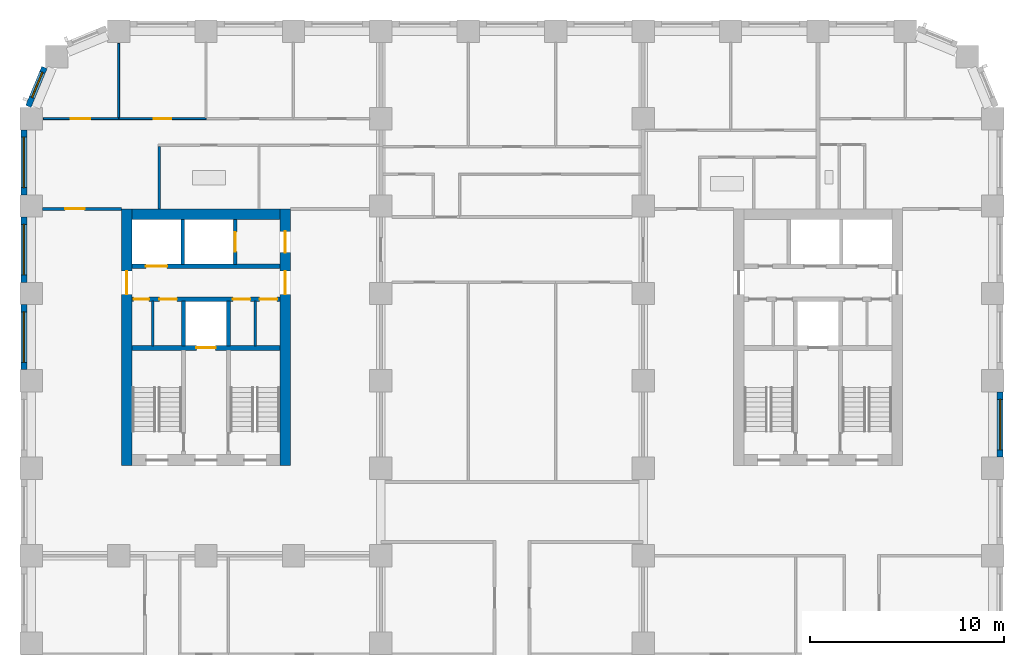
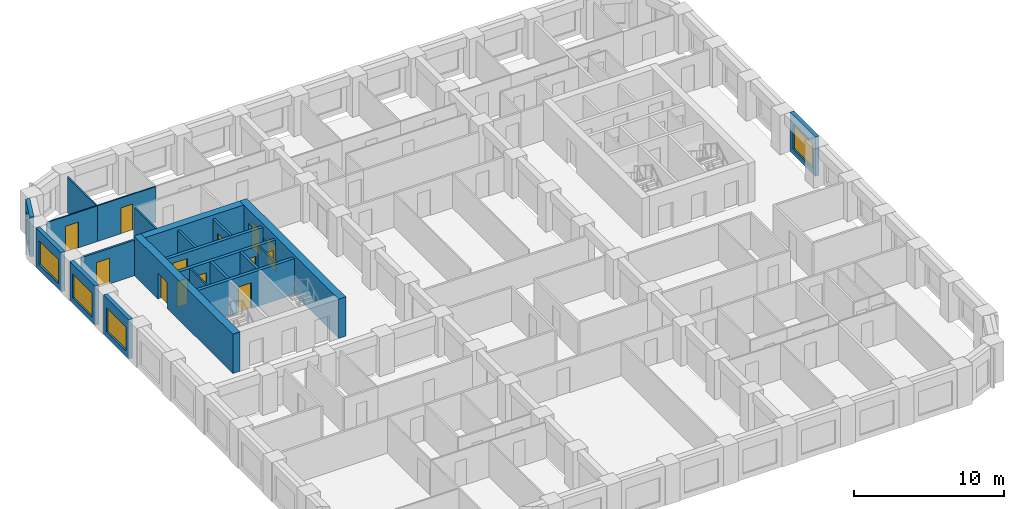
# One storey, part 6 of 13: 22 walls, 13 doors, 5 windows, 18 openings.
"""IFC4 building model written with IfcOpenShell, lengths in metres."""

from ifc_helpers import new_model, si_unit, direction, frame, frame_2d, origin, place, context, subcontext, project, spatial, rectangle, extrude, material, layer, layer_set, type_object, element, fill, save


model = new_model("IFC4")

# Units and contexts
model_context = context("Model", 3, precision=1e-05, world=origin(), true_north=direction((0.0, 1.0)))
body_context = subcontext(model_context, "Body", "Model", "MODEL_VIEW")
ifc_project = project(units=[si_unit("LENGTHUNIT", "METRE"), si_unit("AREAUNIT", "SQUARE_METRE"), si_unit("VOLUMEUNIT", "CUBIC_METRE"), si_unit("PLANEANGLEUNIT", "RADIAN"), si_unit("MASSUNIT", "GRAM", prefix="KILO")], contexts=[model_context])

# Site, building, storey
site_placement = place(None, origin())
site = spatial("IfcSite", under=ifc_project, at=site_placement, CompositionType="ELEMENT")
building_placement = place(site_placement, origin())
building = spatial("IfcBuilding", under=site, at=building_placement, Name="Girih Gate Residences", CompositionType="ELEMENT")
storey_placement = place(building_placement, frame((0.0, 0.0, 92.800048828125)))
storey = spatial("IfcBuildingStorey", under=building, at=storey_placement, Name="L25", CompositionType="ELEMENT", Elevation=92.800048828125)

# Wall, opening, door
ifc_material_1 = material(Name="Gypsum board on steel studs", Category="steel")
ifc_layer_1 = layer(ifc_material_1, 0.14990234375)
ifc_layer_set_1 = layer_set([ifc_layer_1], Name="Compartment wall 150 mm")
wall_type_1 = type_object("IfcWallType", Name="Compartment wall 150 mm", PredefinedType="PARTITIONING", material=ifc_layer_set_1)
wall_1_placement = place(storey_placement, frame((0.574951171875, 40.35009765625, 0.0), z_axis=(0.0, 0.0, 1.0), x_axis=(1.0, 0.0, 0.0)))
wall_1 = element("IfcWall", 1, at=wall_1_placement, inside=storey, type_object=wall_type_1, Name="L25 partition", PredefinedType="PARTITIONING", context=body_context, shape_type="SweptSolid", body=[
    extrude(rectangle(XDim=4.074951171875, YDim=0.14990234375, at=frame_2d((2.03759765625, 0.0))), origin(), (0.0, 0.0, 1.0), 2.89990234375),
])
opening_1_placement = place(wall_1_placement, frame((1.175048828125, 0.0, 0.0)))
opening_1 = element("IfcOpeningElement", 2, at=opening_1_placement, cuts=wall_1, Name="Opening A25-014", PredefinedType="OPENING", context=body_context, shape_type="SweptSolid", body=[
    extrude(rectangle(XDim=1.0, YDim=2.10009765625, at=frame_2d((0.5, 1.050048828125))), frame((0.0, 0.0849609375, 0.0), z_axis=(0.0, -1.0, 0.0), x_axis=(1.0, 0.0, 0.0)), (0.0, 0.0, 1.0), 0.169921875),
])
ifc_material_2 = material(Name="Timber, fire-rated core", Category="wood")
door_type_1 = type_object("IfcDoorType", Name="Flat entrance door 1000x2100 FD30S", OperationType="NOTDEFINED", PredefinedType="DOOR", material=ifc_material_2)
door_1_placement = place(opening_1_placement, origin())
door_1 = element("IfcDoor", 3, at=door_1_placement, inside=storey, type_object=door_type_1, Name="Door A25-014", OperationType="SINGLE_SWING_LEFT", OverallHeight=2.10009765625, OverallWidth=1.0, PredefinedType="DOOR", context=body_context, shape_type="SweptSolid", body=[
    extrude(rectangle(XDim=1.0, YDim=2.10009765625, at=frame_2d((0.5, 1.050048828125))), frame((0.0, 0.02490234375, 0.0), z_axis=(0.0, -1.0, 0.0), x_axis=(1.0, 0.0, 0.0)), (0.0, 0.0, 1.0), 0.050048828125),
])
fill(opening_1, door_1)

# Wall
ifc_material_3 = material(Name="Concrete C60/75", Category="concrete")
ifc_layer_2 = layer(ifc_material_3, 0.550048828125)
ifc_layer_set_2 = layer_set([ifc_layer_2], Name="Core wall RC 550 Concrete C60/75")
wall_type_2 = type_object("IfcWallType", Name="Core wall RC 550 Concrete C60/75", PredefinedType="SOLIDWALL", material=ifc_layer_set_2)
wall_2_placement = place(storey_placement, frame((5.199951171875, 40.074951171875, 0.0), z_axis=(0.0, 0.0, 1.0), x_axis=(1.0, 0.0, 0.0)))
element("IfcWall", 4, at=wall_2_placement, inside=storey, type_object=wall_type_2, Name="Core wall W-N L25", PredefinedType="SOLIDWALL", context=body_context, shape_type="SweptSolid", body=[
    extrude(rectangle(XDim=7.60009765625, YDim=0.550048828125, at=frame_2d((3.800048828125, 0.0))), origin(), (0.0, 0.0, 1.0), 3.199951171875),
])

# Wall, opening, door
wall_3_placement = place(storey_placement, frame((4.925048828125, 27.14990234375, 0.0), z_axis=(0.0, 0.0, 1.0), x_axis=(0.0, 1.0, 0.0)))
wall_3 = element("IfcWall", 5, at=wall_3_placement, inside=storey, type_object=wall_type_2, Name="Core wall W-W L25", PredefinedType="SOLIDWALL", context=body_context, shape_type="SweptSolid", body=[
    extrude(rectangle(XDim=13.2001953125, YDim=0.550048828125, at=frame_2d((6.60009765625, 0.0))), origin(), (0.0, 0.0, 1.0), 3.199951171875),
])
opening_2_placement = place(wall_3_placement, frame((8.800048828125, 0.0, 0.0)))
opening_2 = element("IfcOpeningElement", 6, at=opening_2_placement, cuts=wall_3, Name="Opening D-L25-W-014", PredefinedType="OPENING", context=body_context, shape_type="SweptSolid", body=[
    extrude(rectangle(XDim=1.199951171875, YDim=2.10009765625, at=frame_2d((0.60009765625, 1.050048828125))), frame((0.0, 0.284912109375, 0.0), z_axis=(0.0, -1.0, 0.0), x_axis=(1.0, 0.0, 0.0)), (0.0, 0.0, 1.0), 0.570068359375),
])
ifc_material_4 = material(Name="Painted steel, fire-resisting", Category="steel")
door_type_2 = type_object("IfcDoorType", Name="Fire door 1200x2100", OperationType="SINGLE_SWING_LEFT", PredefinedType="DOOR", material=ifc_material_4)
door_2_placement = place(opening_2_placement, origin())
door_2 = element("IfcDoor", 7, at=door_2_placement, inside=storey, type_object=door_type_2, Name="L25 W core door ll-w", OperationType="SINGLE_SWING_LEFT", OverallHeight=2.10009765625, OverallWidth=1.199951171875, PredefinedType="DOOR", context=body_context, shape_type="SweptSolid", body=[
    extrude(rectangle(XDim=1.199951171875, YDim=2.10009765625, at=frame_2d((0.60009765625, 1.050048828125))), frame((0.0, 0.02490234375, 0.0), z_axis=(0.0, -1.0, 0.0), x_axis=(1.0, 0.0, 0.0)), (0.0, 0.0, 1.0), 0.050048828125),
])
fill(opening_2, door_2)

# Wall, openings, doors
wall_4_placement = place(storey_placement, frame((13.074951171875, 27.14990234375, 0.0), z_axis=(0.0, 0.0, 1.0), x_axis=(0.0, 1.0, 0.0)))
wall_4 = element("IfcWall", 8, at=wall_4_placement, inside=storey, type_object=wall_type_2, Name="Core wall W-E L25", PredefinedType="SOLIDWALL", context=body_context, shape_type="SweptSolid", body=[
    extrude(rectangle(XDim=13.2001953125, YDim=0.550048828125, at=frame_2d((6.60009765625, 0.0))), origin(), (0.0, 0.0, 1.0), 3.199951171875),
])
opening_3_placement = place(wall_4_placement, frame((10.949951171875, 0.0, 0.0)))
opening_3 = element("IfcOpeningElement", 9, at=opening_3_placement, cuts=wall_4, Name="Opening D-L25-W-013", PredefinedType="OPENING", context=body_context, shape_type="SweptSolid", body=[
    extrude(rectangle(XDim=1.10009765625, YDim=2.10009765625, at=frame_2d((0.550048828125, 1.050048828125))), frame((0.0, 0.284912109375, 0.0), z_axis=(0.0, -1.0, 0.0), x_axis=(1.0, 0.0, 0.0)), (0.0, 0.0, 1.0), 0.570068359375),
])
opening_4_placement = place(wall_4_placement, frame((8.800048828125, 0.0, 0.0)))
opening_4 = element("IfcOpeningElement", 10, at=opening_4_placement, cuts=wall_4, Name="Opening D-L25-W-015", PredefinedType="OPENING", context=body_context, shape_type="SweptSolid", body=[
    extrude(rectangle(XDim=1.199951171875, YDim=2.10009765625, at=frame_2d((0.60009765625, 1.050048828125))), frame((0.0, 0.284912109375, 0.0), z_axis=(0.0, -1.0, 0.0), x_axis=(1.0, 0.0, 0.0)), (0.0, 0.0, 1.0), 0.570068359375),
])
door_type_3 = type_object("IfcDoorType", Name="Fire door 1100x2100", OperationType="SINGLE_SWING_LEFT", PredefinedType="DOOR", material=ifc_material_4)
door_3_placement = place(opening_3_placement, origin())
door_3 = element("IfcDoor", 11, at=door_3_placement, inside=storey, type_object=door_type_3, Name="L25 W core door ffl2-e", OperationType="SINGLE_SWING_LEFT", OverallHeight=2.10009765625, OverallWidth=1.10009765625, PredefinedType="DOOR", context=body_context, shape_type="SweptSolid", body=[
    extrude(rectangle(XDim=1.10009765625, YDim=2.10009765625, at=frame_2d((0.550048828125, 1.050048828125))), frame((0.0, 0.02490234375, 0.0), z_axis=(0.0, -1.0, 0.0), x_axis=(1.0, 0.0, 0.0)), (0.0, 0.0, 1.0), 0.050048828125),
])
fill(opening_3, door_3)
door_4_placement = place(opening_4_placement, origin())
door_4 = element("IfcDoor", 12, at=door_4_placement, inside=storey, type_object=door_type_2, Name="L25 W core door ll-e", OperationType="SINGLE_SWING_LEFT", OverallHeight=2.10009765625, OverallWidth=1.199951171875, PredefinedType="DOOR", context=body_context, shape_type="SweptSolid", body=[
    extrude(rectangle(XDim=1.199951171875, YDim=2.10009765625, at=frame_2d((0.60009765625, 1.050048828125))), frame((0.0, 0.02490234375, 0.0), z_axis=(0.0, -1.0, 0.0), x_axis=(1.0, 0.0, 0.0)), (0.0, 0.0, 1.0), 0.050048828125),
])
fill(opening_4, door_4)

# Wall, opening, door
ifc_material_5 = material(Name="Concrete C40/50", Category="concrete")
ifc_layer_3 = layer(ifc_material_5, 0.25)
ifc_layer_set_3 = layer_set([ifc_layer_3], Name="Lift shaft wall 250")
wall_type_3 = type_object("IfcWallType", Name="Lift shaft wall 250", PredefinedType="SOLIDWALL", material=ifc_layer_set_3)
wall_5_placement = place(storey_placement, frame((5.199951171875, 33.199951171875, 0.0), z_axis=(0.0, 0.0, 1.0), x_axis=(1.0, 0.0, 0.0)))
wall_5 = element("IfcWall", 13, at=wall_5_placement, inside=storey, type_object=wall_type_3, Name="L25 W core wall H1", PredefinedType="SOLIDWALL", context=body_context, shape_type="SweptSolid", body=[
    extrude(rectangle(XDim=7.60009765625, YDim=0.25, at=frame_2d((3.800048828125, 0.0))), origin(), (0.0, 0.0, 1.0), 2.89990234375),
])
opening_5_placement = place(wall_5_placement, frame((3.300048828125, 0.0, 0.0)))
opening_5 = element("IfcOpeningElement", 14, at=opening_5_placement, cuts=wall_5, Name="Opening D-L25-W-005", PredefinedType="OPENING", context=body_context, shape_type="SweptSolid", body=[
    extrude(rectangle(XDim=1.0, YDim=2.10009765625, at=frame_2d((0.5, 1.050048828125))), frame((0.0, 0.135009765625, 0.0), z_axis=(0.0, -1.0, 0.0), x_axis=(1.0, 0.0, 0.0)), (0.0, 0.0, 1.0), 0.27001953125),
])
ifc_material_6 = material(Name="Stainless steel, fire-resisting", Category="steel")
door_type_4 = type_object("IfcDoorType", Name="Firefighting lift landing door 1000x2100", OperationType="SLIDING_TO_LEFT", PredefinedType="DOOR", material=ifc_material_6)
door_5_placement = place(opening_5_placement, origin())
door_5 = element("IfcDoor", 15, at=door_5_placement, inside=storey, type_object=door_type_4, Name="L25 lift FF-W landing door", OperationType="SLIDING_TO_LEFT", OverallHeight=2.10009765625, OverallWidth=1.0, PredefinedType="DOOR", context=body_context, shape_type="SweptSolid", body=[
    extrude(rectangle(XDim=1.0, YDim=2.10009765625, at=frame_2d((0.5, 1.050048828125))), frame((0.0, 0.02490234375, 0.0), z_axis=(0.0, -1.0, 0.0), x_axis=(1.0, 0.0, 0.0)), (0.0, 0.0, 1.0), 0.050048828125),
])
fill(opening_5, door_5)

# Wall, openings, doors
wall_6_placement = place(storey_placement, frame((5.199951171875, 35.699951171875, 0.0), z_axis=(0.0, 0.0, 1.0), x_axis=(1.0, 0.0, 0.0)))
wall_6 = element("IfcWall", 16, at=wall_6_placement, inside=storey, type_object=wall_type_3, Name="L25 W core wall H2", PredefinedType="SOLIDWALL", context=body_context, shape_type="SweptSolid", body=[
    extrude(rectangle(XDim=7.60009765625, YDim=0.25, at=frame_2d((3.800048828125, 0.0))), origin(), (0.0, 0.0, 1.0), 2.89990234375),
])
opening_6_placement = place(wall_6_placement, frame((0.074951171875, 0.0, 0.0)))
opening_6 = element("IfcOpeningElement", 17, at=opening_6_placement, cuts=wall_6, Name="Opening D-L25-W-006", PredefinedType="OPENING", context=body_context, shape_type="SweptSolid", body=[
    extrude(rectangle(XDim=0.800048828125, YDim=2.10009765625, at=frame_2d((0.39990234375, 1.050048828125))), frame((0.0, 0.135009765625, 0.0), z_axis=(0.0, -1.0, 0.0), x_axis=(1.0, 0.0, 0.0)), (0.0, 0.0, 1.0), 0.27001953125),
])
opening_7_placement = place(wall_6_placement, frame((1.39990234375, 0.0, 0.0)))
opening_7 = element("IfcOpeningElement", 18, at=opening_7_placement, cuts=wall_6, Name="Opening D-L25-W-007", PredefinedType="OPENING", context=body_context, shape_type="SweptSolid", body=[
    extrude(rectangle(XDim=0.89990234375, YDim=2.10009765625, at=frame_2d((0.449951171875, 1.050048828125))), frame((0.0, 0.135009765625, 0.0), z_axis=(0.0, -1.0, 0.0), x_axis=(1.0, 0.0, 0.0)), (0.0, 0.0, 1.0), 0.27001953125),
])
opening_8_placement = place(wall_6_placement, frame((5.1875, 0.0, 0.0)))
opening_8 = element("IfcOpeningElement", 19, at=opening_8_placement, cuts=wall_6, Name="Opening D-L25-W-008", PredefinedType="OPENING", context=body_context, shape_type="SweptSolid", body=[
    extrude(rectangle(XDim=0.89990234375, YDim=2.10009765625, at=frame_2d((0.449951171875, 1.050048828125))), frame((0.0, 0.135009765625, 0.0), z_axis=(0.0, -1.0, 0.0), x_axis=(1.0, 0.0, 0.0)), (0.0, 0.0, 1.0), 0.27001953125),
])
opening_9_placement = place(wall_6_placement, frame((6.5625, 0.0, 0.0)))
opening_9 = element("IfcOpeningElement", 20, at=opening_9_placement, cuts=wall_6, Name="Opening D-L25-W-009", PredefinedType="OPENING", context=body_context, shape_type="SweptSolid", body=[
    extrude(rectangle(XDim=0.89990234375, YDim=2.10009765625, at=frame_2d((0.449951171875, 1.050048828125))), frame((0.0, 0.135009765625, 0.0), z_axis=(0.0, -1.0, 0.0), x_axis=(1.0, 0.0, 0.0)), (0.0, 0.0, 1.0), 0.27001953125),
])
door_type_5 = type_object("IfcDoorType", Name="Fire door 800x2100", OperationType="SINGLE_SWING_LEFT", PredefinedType="DOOR", material=ifc_material_4)
door_6_placement = place(opening_6_placement, origin())
door_6 = element("IfcDoor", 21, at=door_6_placement, inside=storey, type_object=door_type_5, Name="L25 W housekeeping store door", OperationType="SINGLE_SWING_LEFT", OverallHeight=2.10009765625, OverallWidth=0.800048828125, PredefinedType="DOOR", context=body_context, shape_type="SweptSolid", body=[
    extrude(rectangle(XDim=0.800048828125, YDim=2.10009765625, at=frame_2d((0.39990234375, 1.050048828125))), frame((0.0, 0.02490234375, 0.0), z_axis=(0.0, -1.0, 0.0), x_axis=(1.0, 0.0, 0.0)), (0.0, 0.0, 1.0), 0.050048828125),
])
fill(opening_6, door_6)
door_type_6 = type_object("IfcDoorType", Name="Fire door 900x2100", OperationType="SINGLE_SWING_LEFT", PredefinedType="DOOR", material=ifc_material_4)
door_7_placement = place(opening_7_placement, origin())
door_7 = element("IfcDoor", 22, at=door_7_placement, inside=storey, type_object=door_type_6, Name="L25 W refuse store door", OperationType="SINGLE_SWING_LEFT", OverallHeight=2.10009765625, OverallWidth=0.89990234375, PredefinedType="DOOR", context=body_context, shape_type="SweptSolid", body=[
    extrude(rectangle(XDim=0.89990234375, YDim=2.10009765625, at=frame_2d((0.449951171875, 1.050048828125))), frame((0.0, 0.02490234375, 0.0), z_axis=(0.0, -1.0, 0.0), x_axis=(1.0, 0.0, 0.0)), (0.0, 0.0, 1.0), 0.050048828125),
])
fill(opening_7, door_7)
door_8_placement = place(opening_8_placement, origin())
door_8 = element("IfcDoor", 23, at=door_8_placement, inside=storey, type_object=door_type_6, Name="L25 W linen store door", OperationType="SINGLE_SWING_LEFT", OverallHeight=2.10009765625, OverallWidth=0.89990234375, PredefinedType="DOOR", context=body_context, shape_type="SweptSolid", body=[
    extrude(rectangle(XDim=0.89990234375, YDim=2.10009765625, at=frame_2d((0.449951171875, 1.050048828125))), frame((0.0, 0.02490234375, 0.0), z_axis=(0.0, -1.0, 0.0), x_axis=(1.0, 0.0, 0.0)), (0.0, 0.0, 1.0), 0.050048828125),
])
fill(opening_8, door_8)
door_9_placement = place(opening_9_placement, origin())
door_9 = element("IfcDoor", 24, at=door_9_placement, inside=storey, type_object=door_type_6, Name="L25 W maintenance store door", OperationType="SINGLE_SWING_LEFT", OverallHeight=2.10009765625, OverallWidth=0.89990234375, PredefinedType="DOOR", context=body_context, shape_type="SweptSolid", body=[
    extrude(rectangle(XDim=0.89990234375, YDim=2.10009765625, at=frame_2d((0.449951171875, 1.050048828125))), frame((0.0, 0.02490234375, 0.0), z_axis=(0.0, -1.0, 0.0), x_axis=(1.0, 0.0, 0.0)), (0.0, 0.0, 1.0), 0.050048828125),
])
fill(opening_9, door_9)

# Wall, opening, door
wall_7_placement = place(storey_placement, frame((5.199951171875, 37.39990234375, 0.0), z_axis=(0.0, 0.0, 1.0), x_axis=(1.0, 0.0, 0.0)))
wall_7 = element("IfcWall", 25, at=wall_7_placement, inside=storey, type_object=wall_type_3, Name="L25 W core wall H3", PredefinedType="SOLIDWALL", context=body_context, shape_type="SweptSolid", body=[
    extrude(rectangle(XDim=7.60009765625, YDim=0.25, at=frame_2d((3.800048828125, 0.0))), origin(), (0.0, 0.0, 1.0), 2.89990234375),
])
opening_10_placement = place(wall_7_placement, frame((0.699951171875, 0.0, 0.0)))
opening_10 = element("IfcOpeningElement", 26, at=opening_10_placement, cuts=wall_7, Name="Opening D-L25-W-003", PredefinedType="OPENING", context=body_context, shape_type="SweptSolid", body=[
    extrude(rectangle(XDim=1.10009765625, YDim=2.39990234375, at=frame_2d((0.550048828125, 1.199951171875))), frame((0.0, 0.135009765625, 0.0), z_axis=(0.0, -1.0, 0.0), x_axis=(1.0, 0.0, 0.0)), (0.0, 0.0, 1.0), 0.27001953125),
])
ifc_material_7 = material(Name="Stainless steel", Category="steel")
door_type_7 = type_object("IfcDoorType", Name="Lift landing door 1100x2400", OperationType="SLIDING_TO_LEFT", PredefinedType="DOOR", material=ifc_material_7)
door_10_placement = place(opening_10_placement, origin())
door_10 = element("IfcDoor", 27, at=door_10_placement, inside=storey, type_object=door_type_7, Name="L25 lift LR-W1 landing door", OperationType="SLIDING_TO_LEFT", OverallHeight=2.39990234375, OverallWidth=1.10009765625, PredefinedType="DOOR", context=body_context, shape_type="SweptSolid", body=[
    extrude(rectangle(XDim=1.10009765625, YDim=2.39990234375, at=frame_2d((0.550048828125, 1.199951171875))), frame((0.0, 0.02490234375, 0.0), z_axis=(0.0, -1.0, 0.0), x_axis=(1.0, 0.0, 0.0)), (0.0, 0.0, 1.0), 0.050048828125),
])
fill(opening_10, door_10)

ifc_layer_4 = layer(ifc_material_1, 0.10009765625)
ifc_layer_set_4 = layer_set([ifc_layer_4], Name="Partition 100 mm")
wall_type_4 = type_object("IfcWallType", Name="Partition 100 mm", PredefinedType="PARTITIONING", material=ifc_layer_set_4)
wall_8_placement = place(storey_placement, frame((4.5, 45.0, 0.0), z_axis=(0.0, 0.0, 1.0), x_axis=(1.0, 0.0, 0.0)))
wall_8 = element("IfcWall", 28, at=wall_8_placement, inside=storey, type_object=wall_type_4, Name="L25 partition", PredefinedType="PARTITIONING", context=body_context, shape_type="SweptSolid", body=[
    extrude(rectangle(XDim=4.5, YDim=0.10009765625, at=frame_2d((2.25, 0.0))), origin(), (0.0, 0.0, 1.0), 2.89990234375),
])
opening_11_placement = place(wall_8_placement, frame((1.800048828125, 0.0, 0.0)))
opening_11 = element("IfcOpeningElement", 29, at=opening_11_placement, cuts=wall_8, Name="Opening A25-009", PredefinedType="OPENING", context=body_context, shape_type="SweptSolid", body=[
    extrude(rectangle(XDim=0.89990234375, YDim=2.10009765625, at=frame_2d((0.449951171875, 1.050048828125))), frame((0.0, 0.06005859375, 0.0), z_axis=(0.0, -1.0, 0.0), x_axis=(1.0, 0.0, 0.0)), (0.0, 0.0, 1.0), 0.1201171875),
])
ifc_material_8 = material(Name="Timber", Category="wood")
door_type_8 = type_object("IfcDoorType", Name="Bedroom door 900x2100", OperationType="NOTDEFINED", PredefinedType="DOOR", material=ifc_material_8)
door_11_placement = place(opening_11_placement, origin())
door_11 = element("IfcDoor", 30, at=door_11_placement, inside=storey, type_object=door_type_8, Name="Door A25-009", OperationType="SINGLE_SWING_RIGHT", OverallHeight=2.10009765625, OverallWidth=0.89990234375, PredefinedType="DOOR", context=body_context, shape_type="SweptSolid", body=[
    extrude(rectangle(XDim=0.89990234375, YDim=2.10009765625, at=frame_2d((0.449951171875, 1.050048828125))), frame((0.0, 0.02490234375, 0.0), z_axis=(0.0, -1.0, 0.0), x_axis=(1.0, 0.0, 0.0)), (0.0, 0.0, 1.0), 0.050048828125),
])
fill(opening_11, door_11)

# Wall
wall_9_placement = place(storey_placement, frame((4.5, 45.050048828125, 0.0), z_axis=(0.0, 0.0, 1.0), x_axis=(0.0, 1.0, 0.0)))
element("IfcWall", 31, at=wall_9_placement, inside=storey, type_object=wall_type_4, Name="L25 partition", PredefinedType="PARTITIONING", context=body_context, shape_type="SweptSolid", body=[
    extrude(rectangle(XDim=3.82763671875, YDim=0.10009765625, at=frame_2d((1.913818359375, 0.0))), origin(), (0.0, 0.0, 1.0), 2.89990234375),
])

# Wall, opening, door
wall_10_placement = place(storey_placement, frame((0.622314453125, 45.0, 0.0), z_axis=(0.0, 0.0, 1.0), x_axis=(1.0, 0.0, 0.0)))
wall_10 = element("IfcWall", 32, at=wall_10_placement, inside=storey, type_object=wall_type_4, Name="L25 partition", PredefinedType="PARTITIONING", context=body_context, shape_type="SweptSolid", body=[
    extrude(rectangle(XDim=3.877685546875, YDim=0.10009765625, at=frame_2d((1.93896484375, 0.0))), origin(), (0.0, 0.0, 1.0), 2.89990234375),
])
opening_12_placement = place(wall_10_placement, frame((1.4150390625, 0.0, 0.0)))
opening_12 = element("IfcOpeningElement", 33, at=opening_12_placement, cuts=wall_10, Name="Opening A25-013", PredefinedType="OPENING", context=body_context, shape_type="SweptSolid", body=[
    extrude(rectangle(XDim=1.0, YDim=2.10009765625, at=frame_2d((0.5, 1.050048828125))), frame((0.0, 0.06005859375, 0.0), z_axis=(0.0, -1.0, 0.0), x_axis=(1.0, 0.0, 0.0)), (0.0, 0.0, 1.0), 0.1201171875),
])
door_type_9 = type_object("IfcDoorType", Name="Living room door 1000x2100", OperationType="NOTDEFINED", PredefinedType="DOOR", material=ifc_material_8)
door_12_placement = place(opening_12_placement, origin())
door_12 = element("IfcDoor", 34, at=door_12_placement, inside=storey, type_object=door_type_9, Name="Door A25-013", OperationType="SINGLE_SWING_LEFT", OverallHeight=2.10009765625, OverallWidth=1.0, PredefinedType="DOOR", context=body_context, shape_type="SweptSolid", body=[
    extrude(rectangle(XDim=1.0, YDim=2.10009765625, at=frame_2d((0.5, 1.050048828125))), frame((0.0, 0.02490234375, 0.0), z_axis=(0.0, -1.0, 0.0), x_axis=(1.0, 0.0, 0.0)), (0.0, 0.0, 1.0), 0.050048828125),
])
fill(opening_12, door_12)

# Wall, opening, window
ifc_material_9 = material(Name="Precast concrete C50/60", Category="concrete")
ifc_layer_5 = layer(ifc_material_9, 0.080078125, Name="Outer leaf")
ifc_material_10 = material(Name="Rigid PIR insulation")
ifc_layer_6 = layer(ifc_material_10, 0.14990234375, Name="Insulation")
ifc_material_11 = material(Name="Precast concrete C40/50", Category="concrete")
ifc_layer_7 = layer(ifc_material_11, 0.070068359375, Name="Inner leaf")
ifc_layer_set_5 = layer_set([ifc_layer_5, ifc_layer_6, ifc_layer_7], Name="Precast concrete C50/60 external wall 300")
wall_type_5 = type_object("IfcWallType", Name="Precast concrete C50/60 external wall 300", PredefinedType="SOLIDWALL", material=ifc_layer_set_5)
wall_11_placement = place(storey_placement, frame((49.875, 30.925048828125, 0.0), z_axis=(0.0, 0.0, 1.0), x_axis=(0.0, -1.0, 0.0)))
wall_11 = element("IfcWall", 35, at=wall_11_placement, inside=storey, type_object=wall_type_5, Name="External wall E0495_0045.5", PredefinedType="SOLIDWALL", context=body_context, shape_type="SweptSolid", body=[
    extrude(rectangle(XDim=3.35009765625, YDim=0.300048828125, at=frame_2d((1.675048828125, 0.0))), origin(), (0.0, 0.0, 1.0), 3.199951171875),
])
opening_13_placement = place(wall_11_placement, frame((0.375, 0.0, 0.449951171875)))
opening_13 = element("IfcOpeningElement", 36, at=opening_13_placement, cuts=wall_11, Name="Opening W-1A", PredefinedType="OPENING", context=body_context, shape_type="SweptSolid", body=[
    extrude(rectangle(XDim=2.60009765625, YDim=1.949951171875, at=frame_2d((1.300048828125, 0.97509765625))), frame((0.0, 0.159912109375, 0.0), z_axis=(0.0, -1.0, 0.0), x_axis=(1.0, 0.0, 0.0)), (0.0, 0.0, 1.0), 0.320068359375),
])
ifc_material_12 = material(Name="Double glazing in aluminium frame", Category="aluminium")
window_type_1 = type_object("IfcWindowType", Name="Window W-1A 2600x1950", PartitioningType="SINGLE_PANEL", PredefinedType="WINDOW", material=ifc_material_12)
window_1_placement = place(opening_13_placement, origin())
window_1 = element("IfcWindow", 37, at=window_1_placement, inside=storey, type_object=window_type_1, Name="Window W-1A E0495_0045.5", OverallHeight=1.949951171875, OverallWidth=2.60009765625, PartitioningType="SINGLE_PANEL", PredefinedType="WINDOW", context=body_context, shape_type="SweptSolid", body=[
    extrude(rectangle(XDim=2.60009765625, YDim=1.949951171875, at=frame_2d((1.300048828125, 0.97509765625))), frame((0.0, 0.030029296875, 0.0), z_axis=(0.0, -1.0, 0.0), x_axis=(1.0, 0.0, 0.0)), (0.0, 0.0, 1.0), 0.06005859375),
])
fill(opening_13, window_1)

wall_12_placement = place(storey_placement, frame((-0.14404296875, 45.63232421875, 0.0), z_axis=(0.0, 0.0, 1.0), x_axis=(0.382723818695, 0.923862802911, 0.0)))
wall_12 = element("IfcWall", 38, at=wall_12_placement, inside=storey, type_object=wall_type_5, Name="External wall NW0013_0482.0", PredefinedType="SOLIDWALL", context=body_context, shape_type="SweptSolid", body=[
    extrude(rectangle(XDim=2.163818359375, YDim=0.300048828125, at=frame_2d((1.08203125, 0.0))), origin(), (0.0, 0.0, 1.0), 3.199951171875),
])
opening_14_placement = place(wall_12_placement, frame((0.492919921875, 0.0, 0.449951171875)))
opening_14 = element("IfcOpeningElement", 39, at=opening_14_placement, cuts=wall_12, Name="Opening W-2D", PredefinedType="OPENING", context=body_context, shape_type="SweptSolid", body=[
    extrude(rectangle(XDim=1.39990234375, YDim=1.949951171875, at=frame_2d((0.699951171875, 0.97509765625))), frame((0.0, 0.159912109375, 0.0), z_axis=(0.0, -1.0, 0.0), x_axis=(1.0, 0.0, 0.0)), (0.0, 0.0, 1.0), 0.320068359375),
])
window_type_2 = type_object("IfcWindowType", Name="Window W-2D 1400x1950", PartitioningType="SINGLE_PANEL", PredefinedType="WINDOW", material=ifc_material_12)
window_2_placement = place(opening_14_placement, origin())
window_2 = element("IfcWindow", 40, at=window_2_placement, inside=storey, type_object=window_type_2, Name="Window W-2D NW0013_0482.0", OverallHeight=1.949951171875, OverallWidth=1.39990234375, PartitioningType="SINGLE_PANEL", PredefinedType="WINDOW", context=body_context, shape_type="SweptSolid", body=[
    extrude(rectangle(XDim=1.39990234375, YDim=1.949951171875, at=frame_2d((0.699951171875, 0.97509765625))), frame((0.0, 0.030029296875, 0.0), z_axis=(0.0, -1.0, 0.0), x_axis=(1.0, 0.0, 0.0)), (0.0, 0.0, 1.0), 0.06005859375),
])
fill(opening_14, window_2)

wall_13_placement = place(storey_placement, frame((-0.375, 41.074951171875, 0.0), z_axis=(0.0, 0.0, 1.0), x_axis=(0.0, 1.0, 0.0)))
wall_13 = element("IfcWall", 41, at=wall_13_placement, inside=storey, type_object=wall_type_5, Name="External wall W0000_0450.0", PredefinedType="SOLIDWALL", context=body_context, shape_type="SweptSolid", body=[
    extrude(rectangle(XDim=3.35009765625, YDim=0.300048828125, at=frame_2d((1.675048828125, 0.0))), origin(), (0.0, 0.0, 1.0), 3.199951171875),
])
opening_15_placement = place(wall_13_placement, frame((0.375, 0.0, 0.449951171875)))
opening_15 = element("IfcOpeningElement", 42, at=opening_15_placement, cuts=wall_13, Name="Opening W-1A", PredefinedType="OPENING", context=body_context, shape_type="SweptSolid", body=[
    extrude(rectangle(XDim=2.60009765625, YDim=1.949951171875, at=frame_2d((1.300048828125, 0.97509765625))), frame((0.0, 0.159912109375, 0.0), z_axis=(0.0, -1.0, 0.0), x_axis=(1.0, 0.0, 0.0)), (0.0, 0.0, 1.0), 0.320068359375),
])
window_3_placement = place(opening_15_placement, origin())
window_3 = element("IfcWindow", 43, at=window_3_placement, inside=storey, type_object=window_type_1, Name="Window W-1A W0000_0450.0", OverallHeight=1.949951171875, OverallWidth=2.60009765625, PartitioningType="SINGLE_PANEL", PredefinedType="WINDOW", context=body_context, shape_type="SweptSolid", body=[
    extrude(rectangle(XDim=2.60009765625, YDim=1.949951171875, at=frame_2d((1.300048828125, 0.97509765625))), frame((0.0, 0.030029296875, 0.0), z_axis=(0.0, -1.0, 0.0), x_axis=(1.0, 0.0, 0.0)), (0.0, 0.0, 1.0), 0.06005859375),
])
fill(opening_15, window_3)

wall_14_placement = place(storey_placement, frame((-0.375, 36.574951171875, 0.0), z_axis=(0.0, 0.0, 1.0), x_axis=(0.0, 1.0, 0.0)))
wall_14 = element("IfcWall", 44, at=wall_14_placement, inside=storey, type_object=wall_type_5, Name="External wall W0000_0450.1", PredefinedType="SOLIDWALL", context=body_context, shape_type="SweptSolid", body=[
    extrude(rectangle(XDim=3.35009765625, YDim=0.300048828125, at=frame_2d((1.675048828125, 0.0))), origin(), (0.0, 0.0, 1.0), 3.199951171875),
])
opening_16_placement = place(wall_14_placement, frame((0.375, 0.0, 0.449951171875)))
opening_16 = element("IfcOpeningElement", 45, at=opening_16_placement, cuts=wall_14, Name="Opening W-1A", PredefinedType="OPENING", context=body_context, shape_type="SweptSolid", body=[
    extrude(rectangle(XDim=2.60009765625, YDim=1.949951171875, at=frame_2d((1.300048828125, 0.97509765625))), frame((0.0, 0.159912109375, 0.0), z_axis=(0.0, -1.0, 0.0), x_axis=(1.0, 0.0, 0.0)), (0.0, 0.0, 1.0), 0.320068359375),
])
window_4_placement = place(opening_16_placement, origin())
window_4 = element("IfcWindow", 46, at=window_4_placement, inside=storey, type_object=window_type_1, Name="Window W-1A W0000_0450.1", OverallHeight=1.949951171875, OverallWidth=2.60009765625, PartitioningType="SINGLE_PANEL", PredefinedType="WINDOW", context=body_context, shape_type="SweptSolid", body=[
    extrude(rectangle(XDim=2.60009765625, YDim=1.949951171875, at=frame_2d((1.300048828125, 0.97509765625))), frame((0.0, 0.030029296875, 0.0), z_axis=(0.0, -1.0, 0.0), x_axis=(1.0, 0.0, 0.0)), (0.0, 0.0, 1.0), 0.06005859375),
])
fill(opening_16, window_4)

wall_15_placement = place(storey_placement, frame((-0.375, 32.074951171875, 0.0), z_axis=(0.0, 0.0, 1.0), x_axis=(0.0, 1.0, 0.0)))
wall_15 = element("IfcWall", 47, at=wall_15_placement, inside=storey, type_object=wall_type_5, Name="External wall W0000_0450.2", PredefinedType="SOLIDWALL", context=body_context, shape_type="SweptSolid", body=[
    extrude(rectangle(XDim=3.35009765625, YDim=0.300048828125, at=frame_2d((1.675048828125, 0.0))), origin(), (0.0, 0.0, 1.0), 3.199951171875),
])
opening_17_placement = place(wall_15_placement, frame((0.375, 0.0, 0.449951171875)))
opening_17 = element("IfcOpeningElement", 48, at=opening_17_placement, cuts=wall_15, Name="Opening W-1A", PredefinedType="OPENING", context=body_context, shape_type="SweptSolid", body=[
    extrude(rectangle(XDim=2.60009765625, YDim=1.949951171875, at=frame_2d((1.300048828125, 0.97509765625))), frame((0.0, 0.159912109375, 0.0), z_axis=(0.0, -1.0, 0.0), x_axis=(1.0, 0.0, 0.0)), (0.0, 0.0, 1.0), 0.320068359375),
])
window_5_placement = place(opening_17_placement, origin())
window_5 = element("IfcWindow", 49, at=window_5_placement, inside=storey, type_object=window_type_1, Name="Window W-1A W0000_0450.2", OverallHeight=1.949951171875, OverallWidth=2.60009765625, PartitioningType="SINGLE_PANEL", PredefinedType="WINDOW", context=body_context, shape_type="SweptSolid", body=[
    extrude(rectangle(XDim=2.60009765625, YDim=1.949951171875, at=frame_2d((1.300048828125, 0.97509765625))), frame((0.0, 0.030029296875, 0.0), z_axis=(0.0, -1.0, 0.0), x_axis=(1.0, 0.0, 0.0)), (0.0, 0.0, 1.0), 0.06005859375),
])
fill(opening_17, window_5)

# Wall
ifc_layer_8 = layer(ifc_material_5, 0.175048828125)
ifc_layer_set_6 = layer_set([ifc_layer_8], Name="Riser shaft wall 175")
wall_type_6 = type_object("IfcWallType", Name="Riser shaft wall 175", PredefinedType="SOLIDWALL", material=ifc_layer_set_6)
wall_16_placement = place(storey_placement, frame((7.800048828125, 37.5, 0.0), z_axis=(0.0, 0.0, 1.0), x_axis=(0.0, 1.0, 0.0)))
element("IfcWall", 50, at=wall_16_placement, inside=storey, type_object=wall_type_6, Name="L25 W core wall V1c", PredefinedType="SOLIDWALL", context=body_context, shape_type="SweptSolid", body=[
    extrude(rectangle(XDim=2.300048828125, YDim=0.175048828125, at=frame_2d((1.14990234375, 0.0))), origin(), (0.0, 0.0, 1.0), 2.89990234375),
])

# Wall, opening, door
wall_17_placement = place(storey_placement, frame((10.5, 37.5, 0.0), z_axis=(0.0, 0.0, 1.0), x_axis=(0.0, 1.0, 0.0)))
wall_17 = element("IfcWall", 51, at=wall_17_placement, inside=storey, type_object=wall_type_6, Name="L25 W core wall V2c", PredefinedType="SOLIDWALL", context=body_context, shape_type="SweptSolid", body=[
    extrude(rectangle(XDim=2.300048828125, YDim=0.175048828125, at=frame_2d((1.14990234375, 0.0))), origin(), (0.0, 0.0, 1.0), 2.89990234375),
])
opening_18_placement = place(wall_17_placement, frame((0.64990234375, 0.0, 0.0)))
opening_18 = element("IfcOpeningElement", 52, at=opening_18_placement, cuts=wall_17, Name="Opening D-L25-W-004", PredefinedType="OPENING", context=body_context, shape_type="SweptSolid", body=[
    extrude(rectangle(XDim=1.0, YDim=2.10009765625, at=frame_2d((0.5, 1.050048828125))), frame((0.0, 0.097412109375, 0.0), z_axis=(0.0, -1.0, 0.0), x_axis=(1.0, 0.0, 0.0)), (0.0, 0.0, 1.0), 0.195068359375),
])
door_13_placement = place(opening_18_placement, origin())
door_13 = element("IfcDoor", 53, at=door_13_placement, inside=storey, type_object=door_type_4, Name="L25 lift FF-W2 landing door", OperationType="SLIDING_TO_LEFT", OverallHeight=2.10009765625, OverallWidth=1.0, PredefinedType="DOOR", context=body_context, shape_type="SweptSolid", body=[
    extrude(rectangle(XDim=1.0, YDim=2.10009765625, at=frame_2d((0.5, 1.050048828125))), frame((0.0, 0.02490234375, 0.0), z_axis=(0.0, -1.0, 0.0), x_axis=(1.0, 0.0, 0.0)), (0.0, 0.0, 1.0), 0.050048828125),
])
fill(opening_18, door_13)

# Walls
ifc_layer_9 = layer(ifc_material_5, 0.199951171875)
ifc_layer_set_7 = layer_set([ifc_layer_9], Name="Shaft wall 200")
wall_type_7 = type_object("IfcWallType", Name="Shaft wall 200", PredefinedType="SOLIDWALL", material=ifc_layer_set_7)
for number, where, z_axis, x_axis, name in (
    (54, (7.85009765625, 33.300048828125, 0.0), (0.0, 0.0, 1.0), (0.0, 1.0, 0.0), "L25 W core wall V1b"),
    (55, (10.14990234375, 33.300048828125, 0.0), (0.0, 0.0, 1.0), (0.0, 1.0, 0.0), "L25 W core wall V2b"),
):
    element("IfcWall", number, at=place(storey_placement, frame(where, z_axis=z_axis, x_axis=x_axis)), inside=storey, type_object=wall_type_7, Name=name, PredefinedType="SOLIDWALL", context=body_context, shape_type="SweptSolid", body=[
        extrude(rectangle(XDim=2.300048828125, YDim=0.199951171875, at=frame_2d((1.14990234375, 0.0))), origin(), (0.0, 0.0, 1.0), 2.89990234375),
    ])
ifc_material_13 = material(Name="Calcium silicate blockwork", Category="masonry")
ifc_layer_10 = layer(ifc_material_13, 0.125)
ifc_layer_set_8 = layer_set([ifc_layer_10], Name="Store partition 125")
wall_type_8 = type_object("IfcWallType", Name="Store partition 125", PredefinedType="PARTITIONING", material=ifc_layer_set_8)
for number, where, z_axis, x_axis, name in (
    (56, (6.25, 33.300048828125, 0.0), (0.0, 0.0, 1.0), (0.0, 1.0, 0.0), "L25 W core wall SHR1"),
    (57, (11.52490234375, 33.300048828125, 0.0), (0.0, 0.0, 1.0), (0.0, 1.0, 0.0), "L25 W core wall SHR2"),
):
    element("IfcWall", number, at=place(storey_placement, frame(where, z_axis=z_axis, x_axis=x_axis)), inside=storey, type_object=wall_type_8, Name=name, PredefinedType="PARTITIONING", context=body_context, shape_type="SweptSolid", body=[
        extrude(rectangle(XDim=2.300048828125, YDim=0.125, at=frame_2d((1.14990234375, 0.0))), origin(), (0.0, 0.0, 1.0), 2.89990234375),
    ])
ifc_layer_11 = layer(ifc_material_1, 0.125)
ifc_layer_set_9 = layer_set([ifc_layer_11], Name="Wet room wall 125 mm")
wall_type_9 = type_object("IfcWallType", Name="Wet room wall 125 mm", PredefinedType="PARTITIONING", material=ifc_layer_set_9)
wall_18_placement = place(storey_placement, frame((6.60009765625, 40.35009765625, 0.0), z_axis=(0.0, 0.0, 1.0), x_axis=(0.0, 1.0, 0.0)))
element("IfcWall", 58, at=wall_18_placement, inside=storey, type_object=wall_type_9, Name="L25 partition", PredefinedType="PARTITIONING", context=body_context, shape_type="SweptSolid", body=[
    extrude(rectangle(XDim=3.20751953125, YDim=0.125, at=frame_2d((1.603759765625, 0.0))), origin(), (0.0, 0.0, 1.0), 2.89990234375),
])

save(model, "model.ifc")
